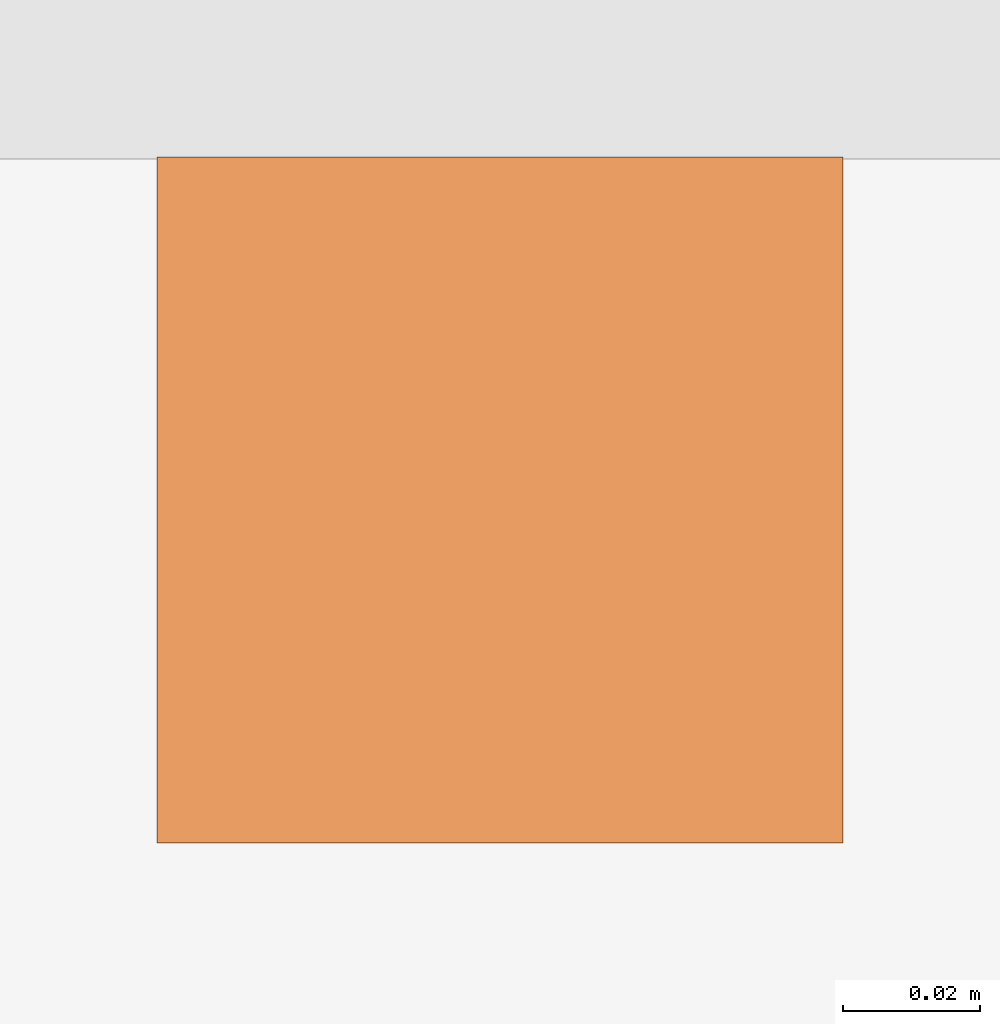
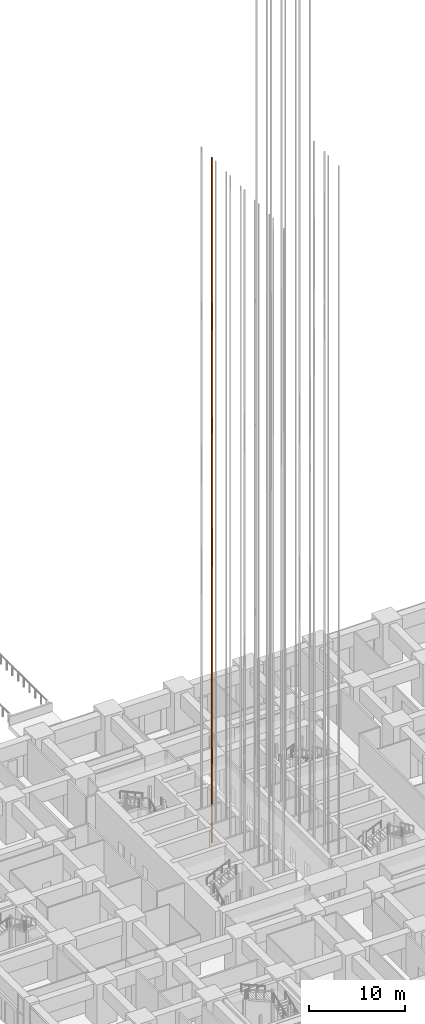
# One storey, part 77 of 81: 1 proxy.
"""IFC4 building model written with IfcOpenShell, lengths in metres."""

from ifc_helpers import new_model, si_unit, direction, frame, origin, origin_2d, place, context, subcontext, project, spatial, rectangle, extrude, material, type_object, element, save


model = new_model("IFC4")

# Units and contexts
model_context = context("Model", 3, precision=1e-05, world=origin(), true_north=direction((0.0, 1.0)))
body_context = subcontext(model_context, "Body", "Model", "MODEL_VIEW")
ifc_project = project(units=[si_unit("LENGTHUNIT", "METRE"), si_unit("AREAUNIT", "SQUARE_METRE"), si_unit("VOLUMEUNIT", "CUBIC_METRE"), si_unit("PLANEANGLEUNIT", "RADIAN"), si_unit("MASSUNIT", "GRAM", prefix="KILO")], contexts=[model_context])

# Site, building, storey
site_placement = place(None, origin())
site = spatial("IfcSite", under=ifc_project, at=site_placement, CompositionType="ELEMENT")
building_placement = place(site_placement, origin())
building = spatial("IfcBuilding", under=site, at=building_placement, Name="Rekha Terrace Tower", CompositionType="ELEMENT")
storey_placement = place(building_placement, origin())
storey = spatial("IfcBuildingStorey", under=building, at=storey_placement, Name="L00", CompositionType="ELEMENT", Elevation=0.0)

# Proxy
ifc_material = material(Name="Steel guide rail", Category="steel")
building_element_proxy_type = type_object("IfcBuildingElementProxyType", Name="LR1 100 lift guide rail", PredefinedType="ELEMENT", material=ifc_material)
proxy_placement = place(storey_placement, frame((34.5, 38.800048828125, 0.0), z_axis=(0.0, 0.0, 1.0), x_axis=(1.0, 0.0, 0.0)))
element("IfcBuildingElementProxy", 1, at=proxy_placement, inside=storey, type_object=building_element_proxy_type, Name="Lift A6 guide rail 1", PredefinedType="ELEMENT", context=body_context, shape_type="SweptSolid", body=[
    extrude(rectangle(XDim=0.10009765625, YDim=0.10009765625, at=origin_2d()), origin(), (0.0, 0.0, 1.0), 87.5),
])

save(model, "model.ifc")
